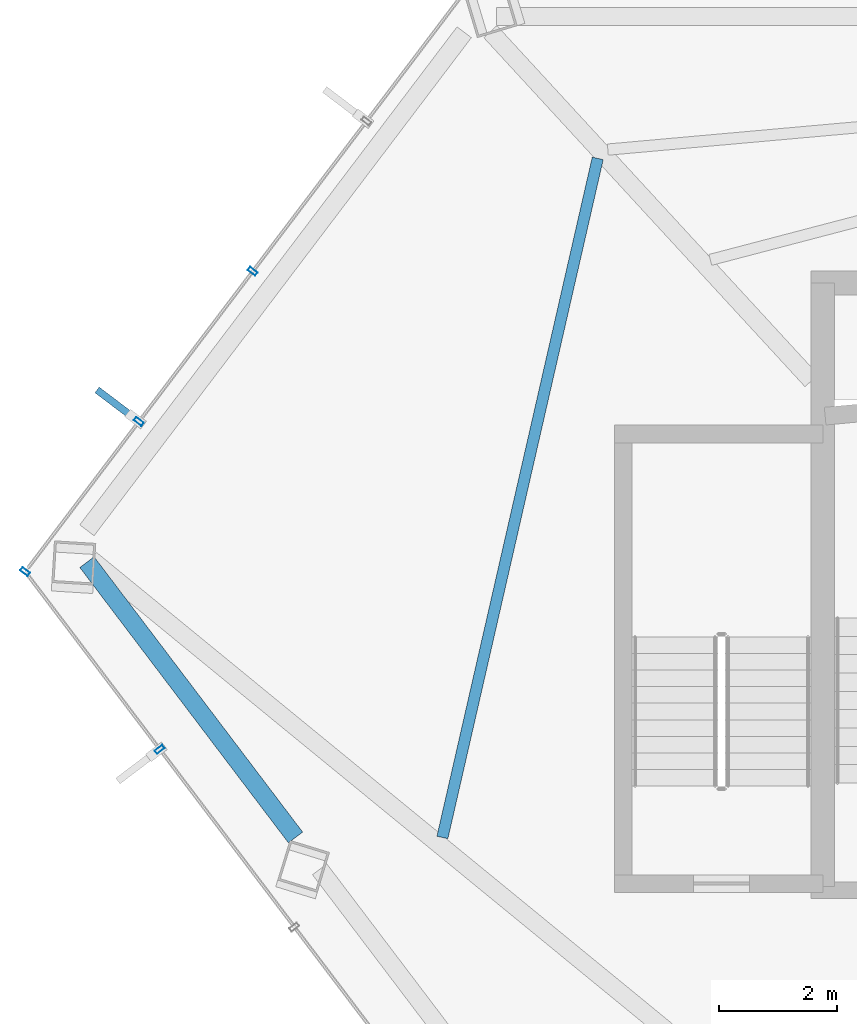
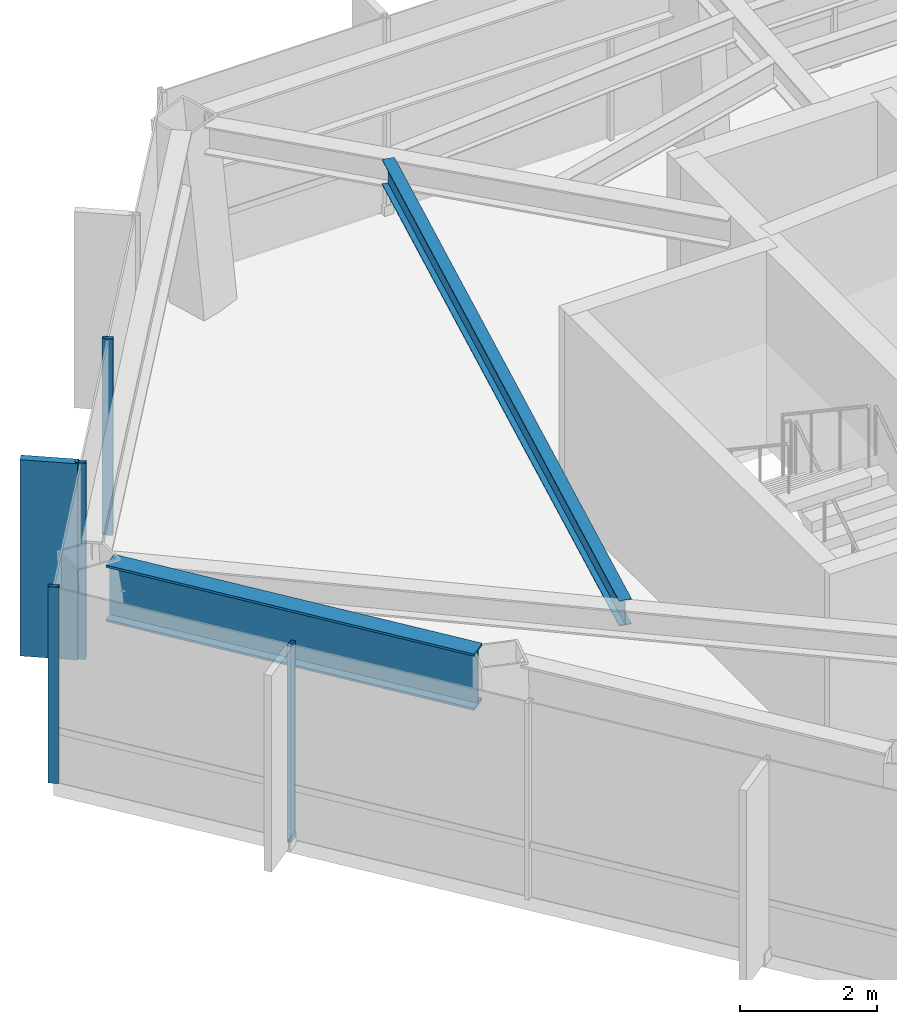
# One storey, part 10 of 27: 5 members, 2 beams, 2 elements without a shape of their own.
"""IFC4 building model written with IfcOpenShell, lengths in metres."""

import ifcopenshell
import ifcopenshell.guid

model = None  # the IFC model being written
_history = None  # IfcOwnerHistory: only IFC2X3 demands one
_inside = {}  # id of a spatial element -> (the spatial element, [elements in it])
_under = {}  # id of a project, library or spatial element -> (it, [spatial elements below it])
_declared = {}  # id of a project -> (the project, [libraries it declares])
_typed = {}  # id of a type object -> (the type object, [elements of that type])
_made_of = {}  # id of a material, layer set ... -> (it, [elements and type objects made of it])


def new_model(schema):
    """Start an empty IFC model of exactly this schema.

    Asked for "IFC4X3", IfcOpenShell would pick the latest addendum, in which some entities
    have other attributes; the version numbers below select the first issue.
    IFC2X3 requires an IfcOwnerHistory on every rooted entity: one is made here for all.
    """
    global model, _history
    if schema == "IFC4X3":
        model = ifcopenshell.file(schema_version=(4, 3, 0, 0))
    else:
        model = ifcopenshell.file(schema=schema)
    _inside.clear()
    _under.clear()
    _declared.clear()
    _typed.clear()
    _made_of.clear()
    _history = None
    if model.schema == "IFC2X3":
        org = make("IfcOrganization", Name="unknown")
        user = make(
            "IfcPersonAndOrganization",
            ThePerson=make("IfcPerson", FamilyName="unknown"),
            TheOrganization=org,
        )
        app = make(
            "IfcApplication",
            ApplicationDeveloper=org,
            Version="unknown",
            ApplicationFullName="unknown",
            ApplicationIdentifier="unknown",
        )
        _history = make(
            "IfcOwnerHistory",
            OwningUser=user,
            OwningApplication=app,
            ChangeAction="ADDED",
            CreationDate=0,
        )
    return model


def make(cls, **values):
    """One entity of the class cls with the attributes given. An attribute that is None is left unset."""
    return model.create_entity(
        cls, **{name: value for name, value in values.items() if value is not None}
    )


def rooted(cls, **values):
    """An entity with a GlobalId (a new one), such as an element, a storey or a relation."""
    return make(cls, GlobalId=ifcopenshell.guid.new(), OwnerHistory=_history, **values)


def si_unit(unit_type, name, prefix=None):
    """IfcSIUnit, for example si_unit("LENGTHUNIT", "METRE", prefix="MILLI")."""
    return make("IfcSIUnit", UnitType=unit_type, Prefix=prefix, Name=name)


def assignment(units):
    """IfcUnitAssignment: the units of a project."""
    return None if units is None else make("IfcUnitAssignment", Units=units)


def point(xyz):
    """IfcCartesianPoint."""
    return None if xyz is None else make("IfcCartesianPoint", Coordinates=xyz)


def direction(xyz):
    """IfcDirection."""
    return None if xyz is None else make("IfcDirection", DirectionRatios=xyz)


def frame(location, z_axis=None, x_axis=None):
    """IfcAxis2Placement3D, a coordinate frame: its origin and axes. An axis left out is left unset."""
    return make(
        "IfcAxis2Placement3D",
        Location=point(location),
        Axis=direction(z_axis),
        RefDirection=direction(x_axis),
    )


def frame_2d(location, x_axis=None):
    """IfcAxis2Placement2D, a coordinate frame in the plane: its origin and x axis."""
    return make(
        "IfcAxis2Placement2D", Location=point(location), RefDirection=direction(x_axis)
    )


def origin():
    """The frame at (0, 0, 0) with its axes left unset."""
    return frame((0.0, 0.0, 0.0))


def origin_2d():
    """The frame at (0, 0) in the plane with its x axis left unset."""
    return frame_2d((0.0, 0.0))


def place(relative_to, where):
    """IfcLocalPlacement: puts the frame where relative to a parent placement (None: the world)."""
    return make(
        "IfcLocalPlacement", PlacementRelTo=relative_to, RelativePlacement=where
    )


def context(
    kind, dimensions, precision=None, world=None, true_north=None, identifier=None
):
    """IfcGeometricRepresentationContext, for example the 3D "Model" context."""
    return make(
        "IfcGeometricRepresentationContext",
        ContextIdentifier=identifier,
        ContextType=kind,
        CoordinateSpaceDimension=dimensions,
        Precision=precision,
        WorldCoordinateSystem=world,
        TrueNorth=true_north,
    )


def subcontext(parent, identifier, kind, view, scale=None):
    """IfcGeometricRepresentationSubContext, for example "Body" below "Model"."""
    return make(
        "IfcGeometricRepresentationSubContext",
        ContextIdentifier=identifier,
        ContextType=kind,
        ParentContext=parent,
        TargetScale=scale,
        TargetView=view,
    )


def project(units=None, contexts=None):
    """IfcProject with its units and contexts."""
    return rooted(
        "IfcProject",
        Name="project",
        RepresentationContexts=contexts,
        UnitsInContext=assignment(units),
    )


def spatial(cls, under=None, at=None, **own):
    """A site, building, storey or space (cls), placed at a placement, below another one or the project."""
    s = rooted(cls, ObjectPlacement=at, **own)
    if under is not None:
        _under.setdefault(under.id(), (under, []))[1].append(s)
    return s


def profile(cls, at=None, kind="AREA", **sizes):
    """A parametric profile (cls). Its sizes go by their IFC names, for example OverallWidth=200.0."""
    return make(cls, ProfileType=kind, Position=at, **sizes)


def rectangle(**sizes):
    """IfcRectangleProfileDef."""
    return profile("IfcRectangleProfileDef", **sizes)


def hollow_rectangle(**sizes):
    """IfcRectangleHollowProfileDef."""
    return profile("IfcRectangleHollowProfileDef", **sizes)


def i_section(**sizes):
    """IfcIShapeProfileDef."""
    return profile("IfcIShapeProfileDef", **sizes)


def extrude(swept, where, along, depth):
    """IfcExtrudedAreaSolid: the profile swept, set in the frame where, extruded along a direction by depth."""
    return make(
        "IfcExtrudedAreaSolid",
        SweptArea=swept,
        Position=where,
        ExtrudedDirection=direction(along),
        Depth=depth,
    )


def shape(context_of_items, identifier, shape_type, items):
    """IfcShapeRepresentation: the items that make up one representation, for example the "Body"."""
    return make(
        "IfcShapeRepresentation",
        ContextOfItems=context_of_items,
        RepresentationIdentifier=identifier,
        RepresentationType=shape_type,
        Items=items,
    )


def material(Name=None, Category=None):
    """IfcMaterial."""
    return make("IfcMaterial", Name=Name, Category=Category)


def layer(
    of_material, thickness, ventilated=None, Name=None, Category=None, Priority=None
):
    """IfcMaterialLayer: one layer of a wall or slab, of a material (None: an air gap)."""
    return make(
        "IfcMaterialLayer",
        Material=of_material,
        LayerThickness=thickness,
        IsVentilated=ventilated,
        Name=Name,
        Category=Category,
        Priority=Priority,
    )


def layer_set(layers, Name=None):
    """IfcMaterialLayerSet."""
    return make("IfcMaterialLayerSet", MaterialLayers=layers, LayerSetName=Name)


def material_profile(
    of_material, cross_section, Name=None, Category=None, Priority=None
):
    """IfcMaterialProfile: a cross section and its material."""
    return make(
        "IfcMaterialProfile",
        Name=Name,
        Material=of_material,
        Profile=cross_section,
        Priority=Priority,
        Category=Category,
    )


def profile_set(profiles, Name=None, composite=None):
    """IfcMaterialProfileSet."""
    return make(
        "IfcMaterialProfileSet",
        Name=Name,
        MaterialProfiles=profiles,
        CompositeProfile=composite,
    )


def made_of(thing, what):
    """Note that an element or type object is made of a material, layer set ...; save() writes the relation."""
    if what is not None:
        _made_of.setdefault(what.id(), (what, []))[1].append(thing)
    return thing


def type_object(cls, material=None, **own):
    """A type object (cls), such as IfcWallType, which elements share."""
    return made_of(rooted(cls, **own), material)


def element(
    cls,
    number,
    at=None,
    inside=None,
    cuts=None,
    type_object=None,
    material=None,
    context=None,
    identifier="Body",
    shape_type=None,
    held_by="IfcProductDefinitionShape",
    body=None,
    shapes=None,
    **own,
):
    """One element of the class cls, such as IfcWall. Its Tag is "e" and its number.

    at: its placement. inside: the storey or other place that contains it. cuts: it is an
    opening in that element (IfcRelVoidsElement). A single representation is given by context,
    identifier, shape_type and body (its items); several are given by shapes. held_by: the class
    of the entity that holds the representations. save() writes the other relations.
    """
    e = rooted(cls, Tag="e%d" % number, ObjectPlacement=at, **own)
    if body is not None:
        shapes = [shape(context, identifier, shape_type, body)]
    if shapes is not None:
        e.Representation = make(held_by, Representations=shapes)
    if inside is not None:
        _inside.setdefault(inside.id(), (inside, []))[1].append(e)
    if cuts is not None:
        rooted(
            "IfcRelVoidsElement", RelatingBuildingElement=cuts, RelatedOpeningElement=e
        )
    if type_object is not None:
        _typed.setdefault(type_object.id(), (type_object, []))[1].append(e)
    return made_of(e, material)


def aggregate(whole, parts):
    """IfcRelAggregates: a whole, such as a stair, and the parts it consists of."""
    return rooted("IfcRelAggregates", RelatingObject=whole, RelatedObjects=parts)


def save(model, path):
    """Write the relations noted so far, then the file.

    IfcRelAggregates (storeys below a building ...), IfcRelContainedInSpatialStructure (elements
    in a storey), IfcRelDefinesByType, IfcRelAssociatesMaterial and IfcRelDeclares: one each for
    every whole, place, type object, material and project.
    """
    for whole, parts in _under.values():
        aggregate(whole, parts)
    for where, things in _inside.values():
        rooted(
            "IfcRelContainedInSpatialStructure",
            RelatedElements=things,
            RelatingStructure=where,
        )
    for kind, things in _typed.values():
        rooted("IfcRelDefinesByType", RelatedObjects=things, RelatingType=kind)
    for what, things in _made_of.values():
        rooted("IfcRelAssociatesMaterial", RelatedObjects=things, RelatingMaterial=what)
    for by, libraries in _declared.values():
        rooted("IfcRelDeclares", RelatingContext=by, RelatedDefinitions=libraries)
    model.write(path)


model = new_model("IFC4")

# Units and contexts
model_context = context("Model", 3, precision=1e-05, world=origin(), true_north=direction((0.0, 1.0)))
body_context = subcontext(model_context, "Body", "Model", "MODEL_VIEW")
ifc_project = project(units=[si_unit("LENGTHUNIT", "METRE"), si_unit("AREAUNIT", "SQUARE_METRE"), si_unit("VOLUMEUNIT", "CUBIC_METRE"), si_unit("PLANEANGLEUNIT", "RADIAN"), si_unit("MASSUNIT", "GRAM", prefix="KILO")], contexts=[model_context])

# Site, building, storey
site_placement = place(None, origin())
site = spatial("IfcSite", under=ifc_project, at=site_placement, CompositionType="ELEMENT")
building_placement = place(site_placement, origin())
building = spatial("IfcBuilding", under=site, at=building_placement, Name="Zarrinselat Tower", CompositionType="ELEMENT")
storey_placement = place(building_placement, frame((0.0, 0.0, 183.260009765625)))
storey = spatial("IfcBuildingStorey", under=building, at=storey_placement, Name="L45", CompositionType="ELEMENT", Elevation=183.260009765625)

# Beams
ifc_material_1 = material(Name="Steel S460M", Category="steel")
ifc_material_profile_1 = material_profile(ifc_material_1, i_section(OverallWidth=0.302001953125, OverallDepth=1.008056640625, WebThickness=0.02099609375, FlangeThickness=0.0400390625, at=origin_2d()), Name="HEM 1000")
ifc_profile_set_1 = profile_set([ifc_material_profile_1], Name="Steel S460M")
beam_type_1 = type_object("IfcBeamType", Name="BM-HEM1000", PredefinedType="BEAM", material=ifc_profile_set_1)
beam_1_placement = place(storey_placement, frame((16.16650390625, 38.7333984375, 2.99609375), z_axis=(0.603868157824, -0.797084216357, 0.0), x_axis=(0.797084216357, 0.603868157824, 0.0)))
element("IfcBeam", 1, at=beam_1_placement, inside=storey, type_object=beam_type_1, Name="L45 Perimeter Spandrel Girder SP06", PredefinedType="BEAM", context=body_context, shape_type="SweptSolid", body=[
    extrude(i_section(OverallWidth=0.302001953125, OverallDepth=1.008056640625, WebThickness=0.02099609375, FlangeThickness=0.0400390625, at=origin_2d()), origin(), (0.0, 0.0, 1.0), 5.83642578125),
])
ifc_material_2 = material(Name="Steel S355J2", Category="steel")
ifc_material_profile_2 = material_profile(ifc_material_2, i_section(OverallWidth=0.18994140625, OverallDepth=0.449951171875, WebThickness=0.009521484375, FlangeThickness=0.0146484375, at=origin_2d()), Name="IPE 450")
ifc_profile_set_2 = profile_set([ifc_material_profile_2], Name="Steel S355J2")
beam_type_2 = type_object("IfcBeamType", Name="BM-IPE450", PredefinedType="JOIST", material=ifc_profile_set_2)
beam_2_placement = place(storey_placement, frame((22.172607421875, 34.0810546875, 3.27490234375), z_axis=(0.222970101498, 0.97482528375, 0.0), x_axis=(-0.97482528375, 0.222970101498, 0.0)))
element("IfcBeam", 2, at=beam_2_placement, inside=storey, type_object=beam_type_2, Name="L45 Composite Floor Joist 10-1", PredefinedType="JOIST", context=body_context, shape_type="SweptSolid", body=[
    extrude(i_section(OverallWidth=0.18994140625, OverallDepth=0.449951171875, WebThickness=0.009521484375, FlangeThickness=0.0146484375, at=origin_2d()), origin(), (0.0, 0.0, 1.0), 11.770751953125),
])

# Curtain wall, members
ifc_material_3 = material(Name="Extruded Aluminium Alloy EN AW-6063 T6", Category="aluminium")
ifc_layer = layer(ifc_material_3, 0.175048828125)
ifc_layer_set = layer_set([ifc_layer], Name="Extruded Aluminium Alloy EN AW-6063 T6")
curtain_wall_type = type_object("IfcCurtainWallType", Name="CWS-HTL", PredefinedType="NOTDEFINED", material=ifc_layer_set)
curtain_wall_1_placement = place(storey_placement, origin())
curtain_wall_1 = element("IfcCurtainWall", 3, at=curtain_wall_1_placement, inside=storey, type_object=curtain_wall_type, Name="L45 Unitised Curtain Wall CW-L45-E02", PredefinedType="NOTDEFINED")
ifc_material_4 = material(Name="Extruded Aluminium Alloy EN AW-6063 T6", Category="aluminium")
ifc_material_profile_3 = material_profile(ifc_material_4, hollow_rectangle(XDim=0.070068359375, YDim=0.159912109375, WallThickness=0.00390625, at=origin_2d()), Name="RHS 160x70x4")
ifc_profile_set_3 = profile_set([ifc_material_profile_3], Name="Extruded Aluminium Alloy EN AW-6063 T6")
member_type_1 = type_object("IfcMemberType", Name="MEM-CW-MUL2", PredefinedType="MULLION", material=ifc_profile_set_3)
member_1_placement = place(storey_placement, frame((18.965087890625, 43.64697265625, 0.0), z_axis=(0.0, 0.0, 1.0), x_axis=(-0.603859048702, -0.797091117314, 0.0)))
member_1 = element("IfcMember", 4, at=member_1_placement, type_object=member_type_1, Name="CW-L45-E02 Mullion 2", PredefinedType="MULLION", context=body_context, shape_type="SweptSolid", body=[
    extrude(hollow_rectangle(XDim=0.070068359375, YDim=0.159912109375, WallThickness=0.00390625, at=origin_2d()), origin(), (0.0, 0.0, 1.0), 3.5),
])
member_2_placement = place(storey_placement, frame((17.04248046875, 41.109375, 0.0), z_axis=(0.0, 0.0, 1.0), x_axis=(-0.603859048702, -0.797091117314, 0.0)))
member_2 = element("IfcMember", 5, at=member_2_placement, type_object=member_type_1, Name="CW-L45-E02 Mullion 3", PredefinedType="MULLION", context=body_context, shape_type="SweptSolid", body=[
    extrude(hollow_rectangle(XDim=0.070068359375, YDim=0.159912109375, WallThickness=0.00390625, at=origin_2d()), origin(), (0.0, 0.0, 1.0), 3.5),
])
member_3_placement = place(storey_placement, frame((15.1201171875, 38.57177734375, 0.0), z_axis=(0.0, 0.0, 1.0), x_axis=(-0.603859048702, -0.797091117314, 0.0)))
member_3 = element("IfcMember", 6, at=member_3_placement, type_object=member_type_1, Name="CW-L45-E02 Mullion 4", PredefinedType="MULLION", context=body_context, shape_type="SweptSolid", body=[
    extrude(hollow_rectangle(XDim=0.070068359375, YDim=0.159912109375, WallThickness=0.00390625, at=origin_2d()), origin(), (0.0, 0.0, 1.0), 3.5),
])

# Curtain wall, member
curtain_wall_2_placement = place(storey_placement, origin())
curtain_wall_2 = element("IfcCurtainWall", 7, at=curtain_wall_2_placement, inside=storey, type_object=curtain_wall_type, Name="L45 Unitised Curtain Wall CW-L45-E03", PredefinedType="NOTDEFINED")
member_4_placement = place(storey_placement, frame((17.39453125, 35.5693359375, 0.0), z_axis=(0.0, 0.0, 1.0), x_axis=(0.603857322892, -0.797092424748, 0.0)))
member_4 = element("IfcMember", 8, at=member_4_placement, type_object=member_type_1, Name="CW-L45-E03 Mullion 1", PredefinedType="MULLION", context=body_context, shape_type="SweptSolid", body=[
    extrude(hollow_rectangle(XDim=0.070068359375, YDim=0.159912109375, WallThickness=0.00390625, at=origin_2d()), origin(), (0.0, 0.0, 1.0), 3.5),
])
aggregate(curtain_wall_2, [member_4])

# Member
ifc_material_5 = material(Name="Honed Cream Travertine Stone", Category="masonry")
ifc_material_profile_4 = material_profile(ifc_material_5, rectangle(XDim=0.1201171875, YDim=0.85009765625, at=origin_2d()), Name="FIN 850x120")
ifc_profile_set_4 = profile_set([ifc_material_profile_4], Name="Honed Cream Travertine Stone")
member_type_2 = type_object("IfcMemberType", Name="MEM-STONE-FIN", PredefinedType="USERDEFINED", material=ifc_profile_set_4)
member_5_placement = place(storey_placement, frame((16.67578125, 41.38720703125, 0.0), z_axis=(0.0, 0.0, 1.0), x_axis=(0.603859048702, 0.797091117314, 0.0)))
member_5 = element("IfcMember", 9, at=member_5_placement, type_object=member_type_2, Name="L45 Stone Shading Fin CW-L45-E02-03", ObjectType="FIN", PredefinedType="USERDEFINED", context=body_context, shape_type="SweptSolid", body=[
    extrude(rectangle(XDim=0.1201171875, YDim=0.85009765625, at=origin_2d()), origin(), (0.0, 0.0, 1.0), 3.5),
])

aggregate(curtain_wall_1, [member_1, member_2, member_5, member_3])

save(model, "model.ifc")
